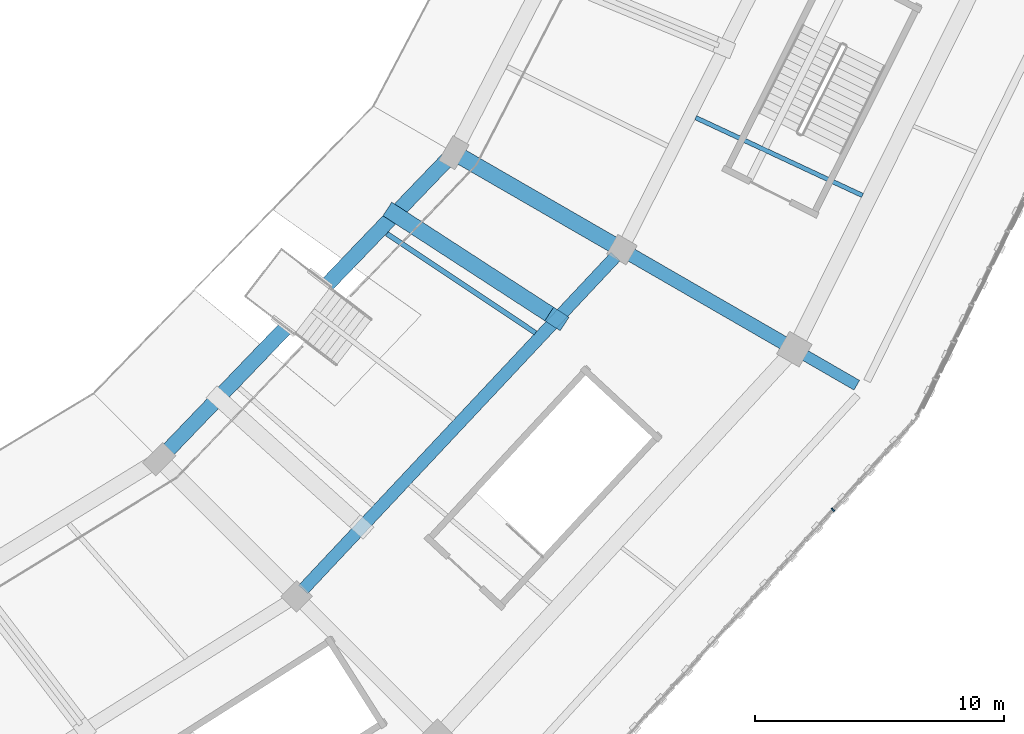
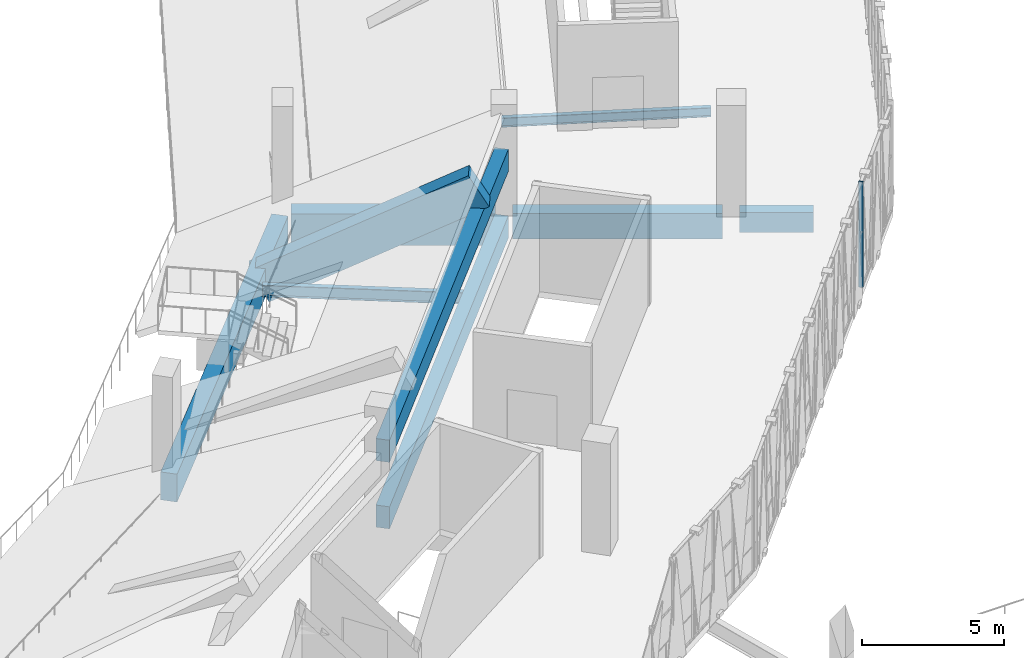
# One storey, part 32 of 152: 9 beams, 1 member, 1 element without a shape of its own.
"""IFC4 building model written with IfcOpenShell, lengths in metres."""

from ifc_helpers import new_model, si_unit, direction, frame, origin, origin_2d, place, context, subcontext, project, spatial, rectangle, i_section, extrude, material, material_profile, profile_set, type_object, element, aggregate, save


model = new_model("IFC4")

# Units and contexts
model_context = context("Model", 3, precision=1e-05, world=origin(), true_north=direction((0.0, 1.0)))
body_context = subcontext(model_context, "Body", "Model", "MODEL_VIEW")
ifc_project = project(units=[si_unit("LENGTHUNIT", "METRE"), si_unit("AREAUNIT", "SQUARE_METRE"), si_unit("VOLUMEUNIT", "CUBIC_METRE"), si_unit("PLANEANGLEUNIT", "RADIAN"), si_unit("MASSUNIT", "GRAM", prefix="KILO")], contexts=[model_context])

# Site, building, storey
site_placement = place(None, origin())
site = spatial("IfcSite", under=ifc_project, at=site_placement, CompositionType="ELEMENT")
building_placement = place(site_placement, origin())
building = spatial("IfcBuilding", under=site, at=building_placement, Name="Zevraka Park Crest Stadium", CompositionType="ELEMENT")
storey_placement = place(building_placement, frame((0.0, 0.0, 15.0)))
storey = spatial("IfcBuildingStorey", under=building, at=storey_placement, Name="L03", CompositionType="ELEMENT", Elevation=15.0)

# Beams
ifc_material_1 = material(Name="Concrete C40/50", Category="concrete")
ifc_material_profile_1 = material_profile(ifc_material_1, rectangle(XDim=0.64990234375, YDim=1.35009765625, at=origin_2d()), Name="RC 1350x650")
ifc_profile_set_1 = profile_set([ifc_material_profile_1], Name="Concrete C40/50")
beam_type_1 = type_object("IfcBeamType", Name="BG01", PredefinedType="BEAM", material=ifc_profile_set_1)
beam_1_placement = place(storey_placement, frame((176.779052734375, 62.10009765625, -0.68505859375), z_axis=(0.866001485781, -0.500041424909, 0.0), x_axis=(0.500041424909, 0.866001485781, 0.0)))
element("IfcBeam", 1, at=beam_1_placement, inside=storey, type_object=beam_type_1, Name="Radial Girder BG01 L03-BC-22", PredefinedType="BEAM", context=body_context, shape_type="SweptSolid", body=[
    extrude(rectangle(XDim=0.64990234375, YDim=1.35009765625, at=origin_2d()), origin(), (0.0, 0.0, 1.0), 7.19970703125),
])
ifc_material_2 = material(Name="Concrete C40/50", Category="concrete")
ifc_material_profile_2 = material_profile(ifc_material_2, rectangle(XDim=0.550048828125, YDim=1.10009765625, at=origin_2d()), Name="RC 1100x550")
ifc_profile_set_2 = profile_set([ifc_material_profile_2], Name="Concrete C40/50")
beam_type_2 = type_object("IfcBeamType", Name="BG02", PredefinedType="BEAM", material=ifc_profile_set_2)
beam_2_placement = place(storey_placement, frame((183.533935546875, 58.199951171875, -0.56005859375), z_axis=(0.86600700885, -0.500031859608, 0.0), x_axis=(0.500031859608, 0.86600700885, 0.0)))
element("IfcBeam", 2, at=beam_2_placement, inside=storey, type_object=beam_type_2, Name="Radial Girder BG02 L03-CD-22", PredefinedType="BEAM", context=body_context, shape_type="SweptSolid", body=[
    extrude(rectangle(XDim=0.550048828125, YDim=1.10009765625, at=origin_2d()), origin(), (0.0, 0.0, 1.0), 7.3994140625),
])
ifc_material_3 = material(Name="Concrete C40/50", Category="concrete")
ifc_material_profile_3 = material_profile(ifc_material_3, rectangle(XDim=0.449951171875, YDim=0.85009765625, at=origin_2d()), Name="RC 850x450")
ifc_profile_set_3 = profile_set([ifc_material_profile_3], Name="Concrete C40/50")
beam_type_3 = type_object("IfcBeamType", Name="BG03", PredefinedType="BEAM", material=ifc_profile_set_3)
beam_3_placement = place(storey_placement, frame((190.4619140625, 54.199951171875, -0.43505859375), z_axis=(0.865950948929, -0.500128937424, 0.0), x_axis=(0.500128937424, 0.865950948929, 0.0)))
element("IfcBeam", 3, at=beam_3_placement, inside=storey, type_object=beam_type_3, Name="Radial Girder BG03 L03-DE-22", PredefinedType="BEAM", context=body_context, shape_type="SweptSolid", body=[
    extrude(rectangle(XDim=0.449951171875, YDim=0.85009765625, at=origin_2d()), origin(), (0.0, 0.0, 1.0), 2.599365234375),
])

# Curtain wall, member
ifc_material_4 = material(Name="Anodised architectural aluminium and laminated safety glass", Category="aluminium")
curtain_wall_type = type_object("IfcCurtainWallType", Name="CW13", PredefinedType="NOTDEFINED", material=ifc_material_4)
curtain_wall_placement = place(storey_placement, origin())
curtain_wall = element("IfcCurtainWall", 4, at=curtain_wall_placement, inside=storey, type_object=curtain_wall_type, Name="Unitised Ring Curtain Wall CW13 L03-21", PredefinedType="NOTDEFINED")
ifc_material_5 = material(Name="Anodised architectural aluminium", Category="aluminium")
ifc_material_profile_4 = material_profile(ifc_material_5, rectangle(XDim=0.159912109375, YDim=0.06005859375, at=origin_2d()), Name="ALU MULLION 160x60")
ifc_profile_set_4 = profile_set([ifc_material_profile_4], Name="Anodised architectural aluminium")
member_type = type_object("IfcMemberType", Name="CM01", PredefinedType="MULLION", material=ifc_profile_set_4)
member_placement = place(storey_placement, frame((191.756103515625, 47.8994140625, 0.0), z_axis=(0.0, 0.0, 1.0), x_axis=(-0.739822878481, 0.672801685845, 0.0)))
member = element("IfcMember", 5, at=member_placement, type_object=member_type, Name="CW13 mullion 12", PredefinedType="MULLION", context=body_context, shape_type="SweptSolid", body=[
    extrude(rectangle(XDim=0.159912109375, YDim=0.06005859375, at=origin_2d()), origin(), (0.0, 0.0, 1.0), 4.5400390625),
])
aggregate(curtain_wall, [member])

# Beams
ifc_material_6 = material(Name="Concrete C40/50", Category="concrete")
ifc_material_profile_5 = material_profile(ifc_material_6, rectangle(XDim=0.60009765625, YDim=1.199951171875, at=origin_2d()), Name="RC 1200x600")
ifc_profile_set_5 = profile_set([ifc_material_profile_5], Name="Concrete C40/50")
beam_type_4 = type_object("IfcBeamType", Name="RB01", PredefinedType="BEAM", material=ifc_profile_set_5)
beam_4_placement = place(storey_placement, frame((164.94189453125, 50.200927734375, -0.610107421875), z_axis=(0.692852617328, 0.721079226342, 0.0), x_axis=(-0.721079226342, 0.692852617328, 0.0)))
element("IfcBeam", 6, at=beam_4_placement, inside=storey, type_object=beam_type_4, Name="Ring Beam RB01 L03-B-21", PredefinedType="BEAM", context=body_context, shape_type="SweptSolid", body=[
    extrude(rectangle(XDim=0.60009765625, YDim=1.199951171875, at=origin_2d()), origin(), (0.0, 0.0, 1.0), 16.329833984375),
])
ifc_material_7 = material(Name="Concrete C40/50", Category="concrete")
ifc_material_profile_6 = material_profile(ifc_material_7, rectangle(XDim=0.5, YDim=0.949951171875, at=origin_2d()), Name="RC 950x500")
ifc_profile_set_6 = profile_set([ifc_material_profile_6], Name="Concrete C40/50")
beam_type_5 = type_object("IfcBeamType", Name="RB02", PredefinedType="BEAM", material=ifc_profile_set_6)
for number, where, z_axis, x_axis, name in (
    (7, (170.455078125, 44.68896484375, -0.485107421875), (0.684268936493, 0.729229746068, 0.0), (-0.729229746068, 0.684268936493, 0.0), "Ring Beam RB02 L03-C-21"),
    (8, (170.455078125, 44.68896484375, 2.375), (0.684268936493, 0.729229746068, 0.0), (-0.729229746068, 0.684268936493, 0.0), "Upper Tier Head Raker Ring Beam RB02 21"),
):
    element("IfcBeam", number, at=place(storey_placement, frame(where, z_axis=z_axis, x_axis=x_axis)), inside=storey, type_object=beam_type_5, Name=name, PredefinedType="BEAM", context=body_context, shape_type="SweptSolid", body=[
        extrude(rectangle(XDim=0.5, YDim=0.949951171875, at=origin_2d()), origin(), (0.0, 0.0, 1.0), 18.353759765625),
    ])
ifc_material_8 = material(Name="Concrete C40/50", Category="concrete")
ifc_material_profile_7 = material_profile(ifc_material_8, rectangle(XDim=0.64990234375, YDim=1.5, at=origin_2d()), Name="RC 1500x650")
ifc_profile_set_7 = profile_set([ifc_material_profile_7], Name="Concrete C40/50")
beam_type_6 = type_object("IfcBeamType", Name="RK02", PredefinedType="BEAM", material=ifc_profile_set_7)
beam_5_placement = place(storey_placement, frame((174.15087890625, 59.784912109375, -0.800048828125), z_axis=(0.730439042209, -0.474033096203, 0.49168224426), x_axis=(0.544380881233, 0.838838158496, 0.0)))
element("IfcBeam", 9, at=beam_5_placement, inside=storey, type_object=beam_type_6, Name="Upper Bowl Main Raker Girder RK02 21-2", PredefinedType="BEAM", context=body_context, shape_type="SweptSolid", body=[
    extrude(rectangle(XDim=0.64990234375, YDim=1.5, at=origin_2d()), origin(), (0.0, 0.0, 1.0), 8.908447265625),
])
ifc_material_9 = material(Name="Steel S355", Category="steel")
ifc_material_profile_8 = material_profile(ifc_material_9, i_section(OverallWidth=0.179931640625, OverallDepth=0.39990234375, WebThickness=0.008544921875, FlangeThickness=0.013427734375, at=origin_2d()), Name="IPE 400")
ifc_profile_set_8 = profile_set([ifc_material_profile_8], Name="Steel S355")
beam_type_7 = type_object("IfcBeamType", Name="SJ09", PredefinedType="JOIST", material=ifc_profile_set_8)
beam_6_placement = place(storey_placement, frame((186.237060546875, 63.656982421875, -0.508056640625), z_axis=(0.906183982971, -0.42288365895, 0.0), x_axis=(0.42288365895, 0.906183982971, 0.0)))
element("IfcBeam", 10, at=beam_6_placement, inside=storey, type_object=beam_type_7, Name="Floor Joist SJ09 L03-CD-22-1", PredefinedType="JOIST", context=body_context, shape_type="SweptSolid", body=[
    extrude(i_section(OverallWidth=0.179931640625, OverallDepth=0.39990234375, WebThickness=0.008544921875, FlangeThickness=0.013427734375, at=origin_2d()), origin(), (0.0, 0.0, 1.0), 7.39892578125),
])
ifc_material_10 = material(Name="Steel S355", Category="steel")
ifc_material_profile_9 = material_profile(ifc_material_10, i_section(OverallWidth=0.199951171875, OverallDepth=0.5, WebThickness=0.01025390625, FlangeThickness=0.01611328125, at=origin_2d()), Name="IPE 500")
ifc_profile_set_9 = profile_set([ifc_material_profile_9], Name="Steel S355")
beam_type_8 = type_object("IfcBeamType", Name="SJ10", PredefinedType="JOIST", material=ifc_profile_set_9)
beam_7_placement = place(storey_placement, frame((173.821044921875, 58.993896484375, -0.55810546875), z_axis=(0.831668706104, -0.55527215245, 0.0), x_axis=(0.55527215245, 0.831668706104, 0.0)))
element("IfcBeam", 11, at=beam_7_placement, inside=storey, type_object=beam_type_8, Name="Floor Joist SJ10 L03-BC-21-3", PredefinedType="JOIST", context=body_context, shape_type="SweptSolid", body=[
    extrude(i_section(OverallWidth=0.199951171875, OverallDepth=0.5, WebThickness=0.01025390625, FlangeThickness=0.01611328125, at=origin_2d()), origin(), (0.0, 0.0, 1.0), 7.189208984375),
])

save(model, "model.ifc")
